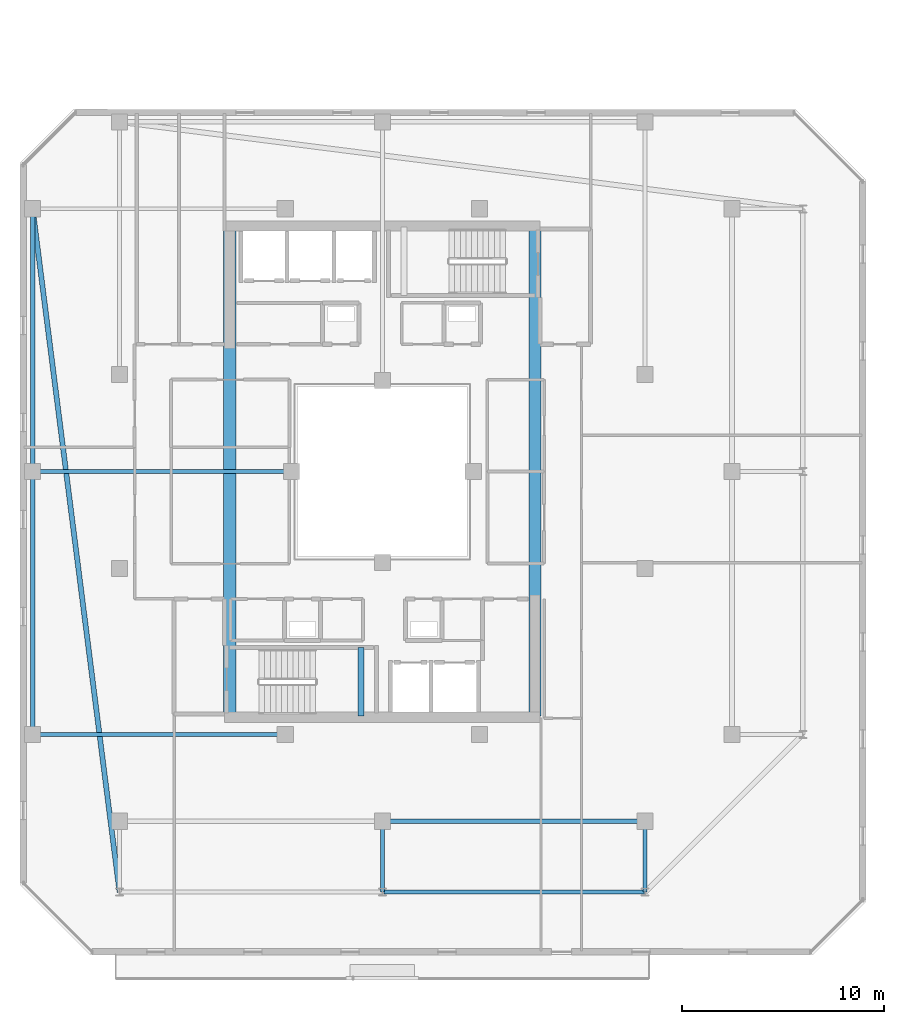
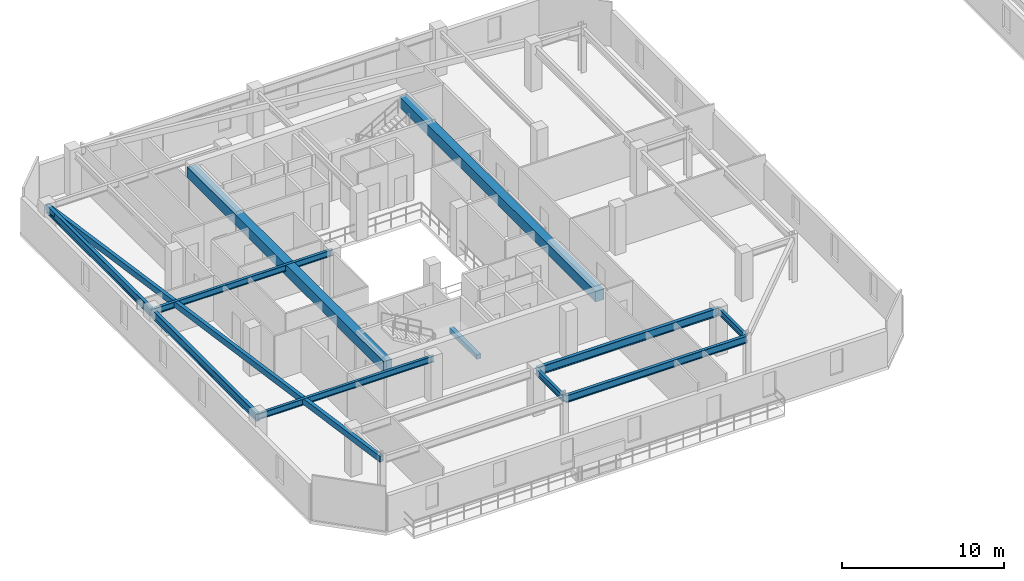
# One storey, part 6 of 35: 12 beams.
"""IFC4 building model written with IfcOpenShell, lengths in metres."""

from ifc_helpers import new_model, si_unit, direction, frame, origin, origin_2d, place, context, subcontext, project, spatial, rectangle, hollow_rectangle, i_section, extrude, material, material_profile, profile_set, type_object, element, save


model = new_model("IFC4")

# Units and contexts
model_context = context("Model", 3, precision=1e-05, world=origin(), true_north=direction((0.0, 1.0)))
body_context = subcontext(model_context, "Body", "Model", "MODEL_VIEW")
ifc_project = project(units=[si_unit("LENGTHUNIT", "METRE"), si_unit("AREAUNIT", "SQUARE_METRE"), si_unit("VOLUMEUNIT", "CUBIC_METRE"), si_unit("PLANEANGLEUNIT", "RADIAN"), si_unit("MASSUNIT", "GRAM", prefix="KILO")], contexts=[model_context])

# Site, building, storey
site_placement = place(None, origin())
site = spatial("IfcSite", under=ifc_project, at=site_placement, CompositionType="ELEMENT")
building_placement = place(site_placement, origin())
building = spatial("IfcBuilding", under=site, at=building_placement, Name="Thornwick Lancets Civic Towers", CompositionType="ELEMENT")
storey_placement = place(building_placement, frame((0.0, 0.0, 265.5)))
storey = spatial("IfcBuildingStorey", under=building, at=storey_placement, Name="L71", CompositionType="ELEMENT", Elevation=265.5)

# Beams
ifc_material_1 = material(Name="Concrete C60/75", Category="concrete")
ifc_material_profile_1 = material_profile(ifc_material_1, rectangle(XDim=0.60009765625, YDim=0.800048828125, at=origin_2d()), Name="RC 600x800")
ifc_profile_set_1 = profile_set([ifc_material_profile_1], Name="Concrete C60/75")
beam_type_1 = type_object("IfcBeamType", Name="BM_COUP_RC800", PredefinedType="BEAM", material=ifc_profile_set_1)
for number, where, z_axis, x_axis, name in (
    (1, (33.050048828125, 14.89990234375, 2.9599609375), (0.0, 1.0, 0.0), (-1.0, 0.0, 0.0), "CB-L71-A1"),
    (2, (17.949951171875, 14.89990234375, 2.9599609375), (0.0, 1.0, 0.0), (-1.0, 0.0, 0.0), "CB-L71-A2"),
):
    element("IfcBeam", number, at=place(storey_placement, frame(where, z_axis=z_axis, x_axis=x_axis)), inside=storey, type_object=beam_type_1, Name=name, PredefinedType="BEAM", context=body_context, shape_type="SweptSolid", body=[
        extrude(rectangle(XDim=0.60009765625, YDim=0.800048828125, at=origin_2d()), origin(), (0.0, 0.0, 1.0), 24.2001953125),
    ])
ifc_material_2 = material(Name="Steel S355JR", Category="steel")
ifc_material_profile_2 = material_profile(ifc_material_2, i_section(OverallWidth=0.210693359375, OverallDepth=0.53955078125, WebThickness=0.01171875, FlangeThickness=0.018798828125, FilletRadius=0.0126953125, at=origin_2d()), Name="UKB 533x210x109")
ifc_profile_set_2 = profile_set([ifc_material_profile_2], Name="Steel S355JR")
beam_type_2 = type_object("IfcBeamType", Name="BM_EDGE_533_109", PredefinedType="SPANDREL", material=ifc_profile_set_2)
beam_1_placement = place(storey_placement, frame((25.580078125, 6.199951171875, 3.09033203125), z_axis=(1.0, 0.0, 0.0), x_axis=(0.0, 1.0, 0.0)))
element("IfcBeam", 3, at=beam_1_placement, inside=storey, type_object=beam_type_2, Name="BM-EDGE-L71-A-S0-2", PredefinedType="SPANDREL", context=body_context, shape_type="SweptSolid", body=[
    extrude(i_section(OverallWidth=0.210693359375, OverallDepth=0.53955078125, WebThickness=0.01171875, FlangeThickness=0.018798828125, FilletRadius=0.0126953125, at=origin_2d()), origin(), (0.0, 0.0, 1.0), 12.919921875),
])
ifc_material_profile_3 = material_profile(ifc_material_2, i_section(OverallWidth=0.230224609375, OverallDepth=0.6171875, WebThickness=0.01318359375, FlangeThickness=0.022216796875, FilletRadius=0.0126953125, at=origin_2d()), Name="UKB 610x229x140")
ifc_profile_set_3 = profile_set([ifc_material_profile_3], Name="Steel S355JR")
beam_type_3 = type_object("IfcBeamType", Name="BM_GIRD_610_140", PredefinedType="BEAM", material=ifc_profile_set_3)
beam_2_placement = place(storey_placement, frame((25.580078125, 9.699951171875, 3.051513671875), z_axis=(1.0, 0.0, 0.0), x_axis=(0.0, 1.0, 0.0)))
element("IfcBeam", 4, at=beam_2_placement, inside=storey, type_object=beam_type_3, Name="BM-SPINE-L71-A-1-2", PredefinedType="BEAM", context=body_context, shape_type="SweptSolid", body=[
    extrude(i_section(OverallWidth=0.230224609375, OverallDepth=0.6171875, WebThickness=0.01318359375, FlangeThickness=0.022216796875, FilletRadius=0.0126953125, at=origin_2d()), origin(), (0.0, 0.0, 1.0), 12.919921875),
])
beam_3_placement = place(storey_placement, frame((8.199951171875, 14.0, 3.051513671875), z_axis=(0.0, 1.0, 0.0), x_axis=(-1.0, 0.0, 0.0)))
element("IfcBeam", 5, at=beam_3_placement, inside=storey, type_object=beam_type_3, Name="BM-SPINE-L71-A-9-10", PredefinedType="BEAM", context=body_context, shape_type="SweptSolid", body=[
    extrude(i_section(OverallWidth=0.230224609375, OverallDepth=0.6171875, WebThickness=0.01318359375, FlangeThickness=0.022216796875, FilletRadius=0.0126953125, at=origin_2d()), origin(), (0.0, 0.0, 1.0), 13.0),
])
beam_4_placement = place(storey_placement, frame((8.199951171875, 27.080078125, 3.051513671875), z_axis=(0.0, 1.0, 0.0), x_axis=(-1.0, 0.0, 0.0)))
element("IfcBeam", 6, at=beam_4_placement, inside=storey, type_object=beam_type_3, Name="BM-SPINE-L71-A-10-11", PredefinedType="BEAM", context=body_context, shape_type="SweptSolid", body=[
    extrude(i_section(OverallWidth=0.230224609375, OverallDepth=0.6171875, WebThickness=0.01318359375, FlangeThickness=0.022216796875, FilletRadius=0.0126953125, at=origin_2d()), origin(), (0.0, 0.0, 1.0), 12.919921875),
])
ifc_material_profile_4 = material_profile(ifc_material_2, i_section(OverallWidth=0.19287109375, OverallDepth=0.46728515625, WebThickness=0.011474609375, FlangeThickness=0.01953125, FilletRadius=0.01025390625, at=origin_2d()), Name="UKB 457x191x98")
ifc_profile_set_4 = profile_set([ifc_material_profile_4], Name="Steel S355JR")
beam_type_4 = type_object("IfcBeamType", Name="BM_JOIST_457_98", PredefinedType="JOIST", material=ifc_profile_set_4)
for number, where, z_axis, x_axis, name in (
    (7, (25.5, 9.699951171875, 3.12646484375), (0.0, -1.0, 0.0), (1.0, 0.0, 0.0), "BM-RAD-L71-A02"),
    (8, (38.5, 9.699951171875, 3.12646484375), (0.0, -1.0, 0.0), (1.0, 0.0, 0.0), "BM-RAD-L71-A03"),
):
    element("IfcBeam", number, at=place(storey_placement, frame(where, z_axis=z_axis, x_axis=x_axis)), inside=storey, type_object=beam_type_4, Name=name, PredefinedType="JOIST", context=body_context, shape_type="SweptSolid", body=[
        extrude(i_section(OverallWidth=0.19287109375, OverallDepth=0.46728515625, WebThickness=0.011474609375, FlangeThickness=0.01953125, FilletRadius=0.01025390625, at=origin_2d()), origin(), (0.0, 0.0, 1.0), 3.5),
    ])
beam_5_placement = place(storey_placement, frame((20.699951171875, 14.0, 3.12646484375), z_axis=(-1.0, 0.0, 0.0), x_axis=(0.0, -1.0, 0.0)))
element("IfcBeam", 9, at=beam_5_placement, inside=storey, type_object=beam_type_4, Name="BM-RADIN-L71-A10", PredefinedType="JOIST", context=body_context, shape_type="SweptSolid", body=[
    extrude(i_section(OverallWidth=0.19287109375, OverallDepth=0.46728515625, WebThickness=0.011474609375, FlangeThickness=0.01953125, FilletRadius=0.01025390625, at=origin_2d()), origin(), (0.0, 0.0, 1.0), 12.5),
])
beam_6_placement = place(storey_placement, frame((21.0, 27.0, 3.12646484375), z_axis=(-1.0, 0.0, 0.0), x_axis=(0.0, -1.0, 0.0)))
element("IfcBeam", 10, at=beam_6_placement, inside=storey, type_object=beam_type_4, Name="BM-RADIN-L71-A11", PredefinedType="JOIST", context=body_context, shape_type="SweptSolid", body=[
    extrude(i_section(OverallWidth=0.19287109375, OverallDepth=0.46728515625, WebThickness=0.011474609375, FlangeThickness=0.01953125, FilletRadius=0.01025390625, at=origin_2d()), origin(), (0.0, 0.0, 1.0), 12.800048828125),
])
ifc_material_profile_5 = material_profile(ifc_material_2, hollow_rectangle(XDim=0.25, YDim=0.449951171875, WallThickness=0.01611328125, at=origin_2d()), Name="RHS 450x250x16")
ifc_profile_set_5 = profile_set([ifc_material_profile_5], Name="Steel S355JR")
beam_type_5 = type_object("IfcBeamType", Name="BM_RING_RHS450", PredefinedType="BEAM", material=ifc_profile_set_5)
beam_7_placement = place(storey_placement, frame((8.199951171875, 40.0, 3.135009765625), z_axis=(0.126202998662, -0.992004437051, 0.0), x_axis=(0.992004437051, 0.126202998662, 0.0)))
element("IfcBeam", 11, at=beam_7_placement, inside=storey, type_object=beam_type_5, Name="BM-CHAMF-L71-A-C3", PredefinedType="BEAM", context=body_context, shape_type="SweptSolid", body=[
    extrude(hollow_rectangle(XDim=0.25, YDim=0.449951171875, WallThickness=0.01611328125, at=origin_2d()), origin(), (0.0, 0.0, 1.0), 34.072509765625),
])
ifc_material_3 = material(Name="Concrete C40/50", Category="concrete")
ifc_material_profile_6 = material_profile(ifc_material_3, rectangle(XDim=0.300048828125, YDim=0.35009765625, at=origin_2d()), Name="RC 300x350")
ifc_profile_set_6 = profile_set([ifc_material_profile_6], Name="Concrete C40/50")
beam_type_6 = type_object("IfcBeamType", Name="BM_STAIR_LDG", PredefinedType="BEAM", material=ifc_profile_set_6)
beam_8_placement = place(storey_placement, frame((24.43505859375, 14.89990234375, 1.3779296875), z_axis=(0.0, 1.0, 0.0), x_axis=(-1.0, 0.0, 0.0)))
element("IfcBeam", 12, at=beam_8_placement, inside=storey, type_object=beam_type_6, Name="L71 ST-A1 Landing Support Beam 1", PredefinedType="BEAM", context=body_context, shape_type="SweptSolid", body=[
    extrude(rectangle(XDim=0.300048828125, YDim=0.35009765625, at=origin_2d()), origin(), (0.0, 0.0, 1.0), 3.400146484375),
])

save(model, "model.ifc")
